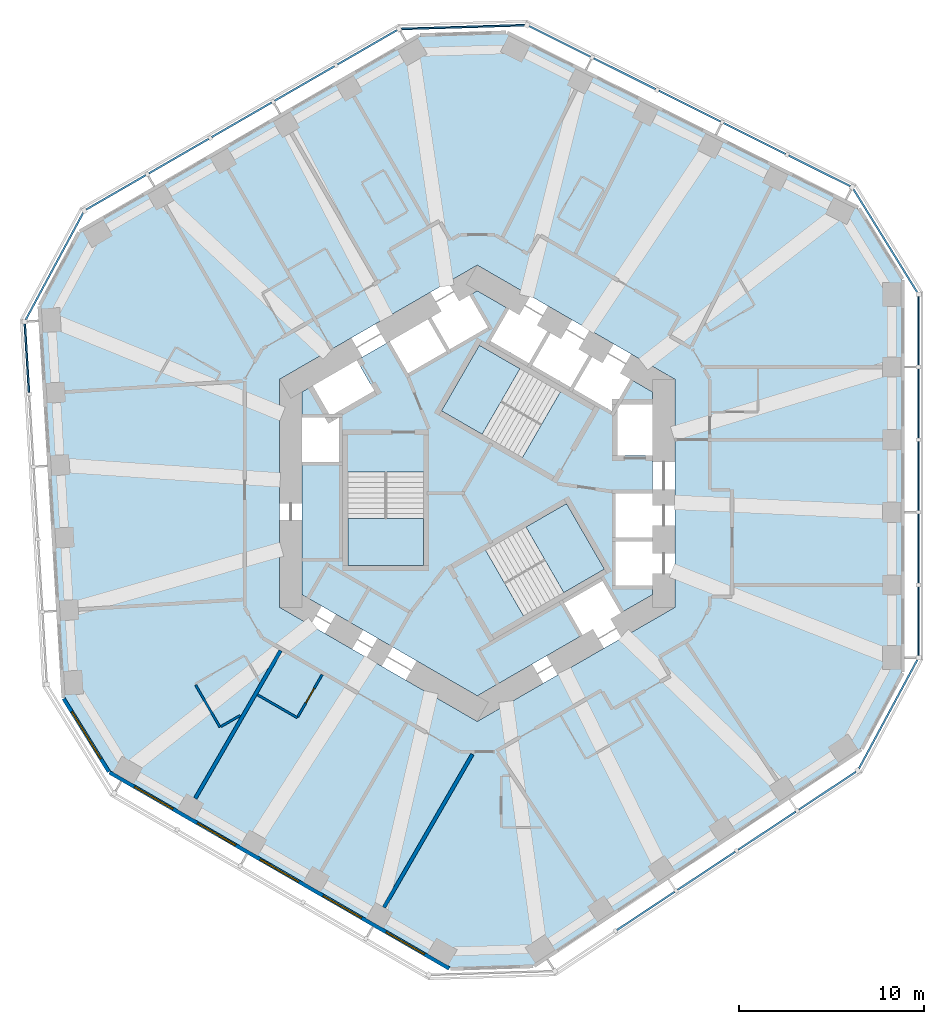
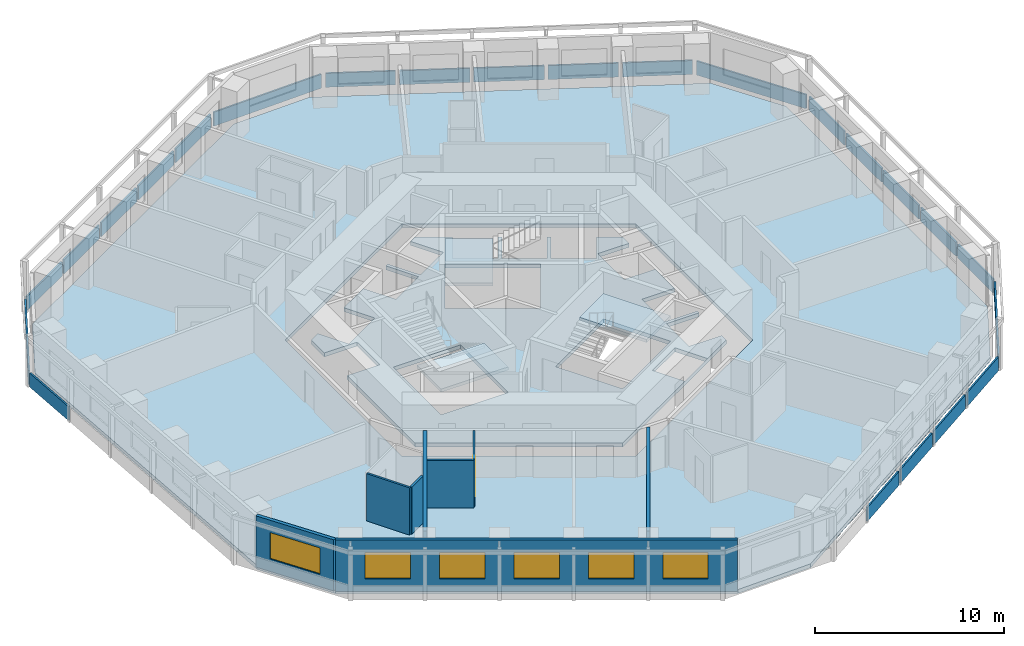
# One storey, part 3 of 12: 24 plates, 8 walls, 6 windows, 5 slabs, 1 door, 7 openings, 12 elements without a shape of their own.
"""IFC4 building model written with IfcOpenShell, lengths in metres."""

from ifc_helpers import new_model, si_unit, direction, frame, frame_2d, origin, origin_2d, place, context, subcontext, project, spatial, polyline, rectangle, outline, extrude, material, layer, layer_set, type_object, element, fill, aggregate, save


model = new_model("IFC4")

# Units and contexts
model_context = context("Model", 3, precision=1e-05, world=origin(), true_north=direction((0.0, 1.0)))
body_context = subcontext(model_context, "Body", "Model", "MODEL_VIEW")
ifc_project = project(units=[si_unit("LENGTHUNIT", "METRE"), si_unit("AREAUNIT", "SQUARE_METRE"), si_unit("VOLUMEUNIT", "CUBIC_METRE"), si_unit("PLANEANGLEUNIT", "RADIAN"), si_unit("MASSUNIT", "GRAM", prefix="KILO")], contexts=[model_context])

# Site, building, storey
site_placement = place(None, origin())
site = spatial("IfcSite", under=ifc_project, at=site_placement, CompositionType="ELEMENT")
building_placement = place(site_placement, origin())
building = spatial("IfcBuilding", under=site, at=building_placement, Name="Vanh Sen Convention Tower", CompositionType="ELEMENT")
storey_placement = place(building_placement, frame((0.0, 0.0, 106.699951171875)))
storey = spatial("IfcBuildingStorey", under=building, at=storey_placement, Name="L25", CompositionType="ELEMENT", Elevation=106.699951171875)

# Slabs
ifc_material_1 = material(Name="Concrete C40/50", Category="concrete")
ifc_layer_1 = layer(ifc_material_1, 0.25)
ifc_layer_set_1 = layer_set([ifc_layer_1], Name="Concrete C40/50")
slab_type_1 = type_object("IfcSlabType", Name="Core slab 250", PredefinedType="FLOOR", material=ifc_layer_set_1)
slab_1_placement = place(storey_placement, frame((0.0, 0.0, -0.25)))
element("IfcSlab", 1, at=slab_1_placement, inside=storey, type_object=slab_type_1, Name="Core slab L25", PredefinedType="FLOOR", context=body_context, shape_type="SweptSolid", body=[
    extrude(outline(polyline([(9.5, 5.48486328125), (9.5, 4.800048828125), (7.60009765625, 4.800048828125), (7.60009765625, 2.050048828125), (9.5, 2.050048828125), (9.5, 0.0), (7.5, 0.0), (7.5, -2.39990234375), (9.5, -2.39990234375), (9.5, -2.60009765625), (7.5, -2.60009765625), (7.5, -5.0), (9.5, -5.0), (9.5, -5.48486328125), (0.0, -10.9697265625), (-9.5, -5.48486328125), (-9.5, 1.699951171875), (-7.5, 1.699951171875), (-7.5, 4.10009765625), (-9.5, 4.10009765625), (-9.5, 5.48486328125), (-8.906982421875, 5.8271484375), (-7.956787109375, 4.181884765625), (-5.575439453125, 5.556884765625), (-6.525390625, 7.2021484375), (-4.75, 8.227294921875), (-3.75, 6.4951171875), (-1.67138671875, 7.6953125), (-2.67138671875, 9.42724609375), (-2.498291015625, 9.527099609375), (-1.498291015625, 7.795166015625), (0.580078125, 8.9951171875), (-0.419921875, 10.727294921875), (0.0, 10.9697265625), (1.718994140625, 9.977294921875), (0.718994140625, 8.2451171875), (2.79736328125, 7.045166015625), (3.79736328125, 8.777099609375), (3.970703125, 8.67724609375), (2.970703125, 6.9453125), (5.049072265625, 5.7451171875), (6.049072265625, 7.477294921875), (6.22216796875, 7.377197265625), (5.22216796875, 5.645263671875), (7.30078125, 4.4453125), (8.30078125, 6.17724609375), (9.5, 5.48486328125)]), holes=[polyline([(-7.0, 3.14990234375), (-7.0, -3.909912109375), (-2.89990234375, -3.909912109375), (-2.89990234375, 3.14990234375), (-2.89990234375, 1.1494140625), (-7.0, 1.1494140625), (-7.0, 3.14990234375)]), polyline([(4.495361328125, 5.487548828125), (6.22802734375, 4.4873046875), (0.11376953125, 8.01708984375), (-1.936279296875, 4.466552734375), (2.4453125, 1.936767578125), (4.495361328125, 5.487548828125)]), polyline([(7.781005859375, -6.477294921875), (6.781005859375, -4.7451171875), (4.70263671875, -5.9453125), (5.70263671875, -7.67724609375), (7.781005859375, -6.477294921875)]), polyline([(0.45458984375, -3.086181640625), (2.504638671875, -6.63671875), (6.88623046875, -4.107177734375), (4.836181640625, -0.556396484375), (-1.278076171875, -4.08642578125), (0.45458984375, -3.086181640625)])]), origin(), (0.0, 0.0, 1.0), 0.25),
])
ifc_layer_2 = layer(ifc_material_1, 0.25)
ifc_layer_set_2 = layer_set([ifc_layer_2], Name="Concrete C40/50")
slab_type_2 = type_object("IfcSlabType", Name="Floor slab 250 REI 120", PredefinedType="FLOOR", material=ifc_layer_set_2)
slab_2_placement = place(storey_placement, frame((0.0, 0.0, -0.25)))
element("IfcSlab", 2, at=slab_2_placement, inside=storey, type_object=slab_type_2, Name="Floor slab L25 tower", PredefinedType="FLOOR", context=body_context, shape_type="SweptSolid", body=[
    extrude(outline(polyline([(23.0, -9.69921875), (23.0, 11.57373046875), (20.620361328125, 15.419189453125), (1.58251953125, 24.911376953125), (-3.10009765625, 24.768310546875), (-21.523193359375, 14.131591796875), (-23.663818359375, 10.14794921875), (-22.364990234375, -11.085205078125), (-19.89990234375, -15.069091796875), (-1.476806640625, -25.705322265625), (3.04345703125, -25.5673828125), (20.78271484375, -13.825927734375), (23.0, -9.69921875)]), holes=[polyline([(0.0, 12.355224609375), (-10.699951171875, 6.177490234375), (-10.699951171875, -6.177490234375), (0.0, -12.355224609375), (10.699951171875, -6.177490234375), (10.699951171875, 6.177490234375), (0.0, 12.355224609375)])]), origin(), (0.0, 0.0, 1.0), 0.25),
])

# Curtain wall, plates
ifc_material_2 = material(Name="Concrete C50/60", Category="concrete")
curtain_wall_type = type_object("IfcCurtainWallType", Name="Outer skin hotel zone", PredefinedType="NOTDEFINED", material=ifc_material_2)
curtain_wall_1_placement = place(storey_placement, origin())
curtain_wall_1 = element("IfcCurtainWall", 3, at=curtain_wall_1_placement, inside=storey, type_object=curtain_wall_type, Name="OUTER SKIN E L25", PredefinedType="NOTDEFINED")
ifc_layer_3 = layer(ifc_material_2, 0.10009765625)
ifc_layer_set_3 = layer_set([ifc_layer_3], Name="Concrete C50/60")
plate_type = type_object("IfcPlateType", Name="Outer skin precast screen panel 100", PredefinedType="CURTAIN_PANEL", material=ifc_layer_set_3)
plate_1_placement = place(storey_placement, frame((23.89990234375, -6.91943359375, 0.0), z_axis=(0.0, 0.0, 1.0), x_axis=(0.0, 1.0, 0.0)))
plate_1 = element("IfcPlate", 4, at=plate_1_placement, type_object=plate_type, Name="OUTER SKIN screen panel E-1", PredefinedType="CURTAIN_PANEL", context=body_context, shape_type="SweptSolid", body=[
    extrude(rectangle(XDim=3.709716796875, YDim=0.10009765625, at=origin_2d()), origin(), (0.0, 0.0, 1.0), 0.89990234375),
])
plate_2_placement = place(storey_placement, frame((23.89990234375, -2.997314453125, 0.0), z_axis=(0.0, 0.0, 1.0), x_axis=(0.0, 1.0, 0.0)))
plate_2 = element("IfcPlate", 5, at=plate_2_placement, type_object=plate_type, Name="OUTER SKIN screen panel E-2", PredefinedType="CURTAIN_PANEL", context=body_context, shape_type="SweptSolid", body=[
    extrude(rectangle(XDim=3.734619140625, YDim=0.10009765625, at=origin_2d()), origin(), (0.0, 0.0, 1.0), 0.89990234375),
])
plate_3_placement = place(storey_placement, frame((23.89990234375, 0.937255859375, 0.0), z_axis=(0.0, 0.0, 1.0), x_axis=(0.0, 1.0, 0.0)))
plate_3 = element("IfcPlate", 6, at=plate_3_placement, type_object=plate_type, Name="OUTER SKIN screen panel E-3", PredefinedType="CURTAIN_PANEL", context=body_context, shape_type="SweptSolid", body=[
    extrude(rectangle(XDim=3.734619140625, YDim=0.10009765625, at=origin_2d()), origin(), (0.0, 0.0, 1.0), 0.89990234375),
])
plate_4_placement = place(storey_placement, frame((23.89990234375, 4.871826171875, 0.0), z_axis=(0.0, 0.0, 1.0), x_axis=(0.0, 1.0, 0.0)))
plate_4 = element("IfcPlate", 7, at=plate_4_placement, type_object=plate_type, Name="OUTER SKIN screen panel E-4", PredefinedType="CURTAIN_PANEL", context=body_context, shape_type="SweptSolid", body=[
    extrude(rectangle(XDim=3.734619140625, YDim=0.10009765625, at=origin_2d()), origin(), (0.0, 0.0, 1.0), 0.89990234375),
])
plate_5_placement = place(storey_placement, frame((23.89990234375, 8.7939453125, 0.0), z_axis=(0.0, 0.0, 1.0), x_axis=(0.0, 1.0, 0.0)))
plate_5 = element("IfcPlate", 8, at=plate_5_placement, type_object=plate_type, Name="OUTER SKIN screen panel E-5", PredefinedType="CURTAIN_PANEL", context=body_context, shape_type="SweptSolid", body=[
    extrude(rectangle(XDim=3.709716796875, YDim=0.10009765625, at=origin_2d()), origin(), (0.0, 0.0, 1.0), 0.89990234375),
])
aggregate(curtain_wall_1, [plate_1, plate_2, plate_3, plate_4, plate_5])

# Curtain wall, plate
curtain_wall_2_placement = place(storey_placement, origin())
curtain_wall_2 = element("IfcCurtainWall", 9, at=curtain_wall_2_placement, inside=storey, type_object=curtain_wall_type, Name="OUTER SKIN CH1 L25", PredefinedType="NOTDEFINED")
plate_6_placement = place(storey_placement, frame((22.102783203125, 13.677734375, 0.0), z_axis=(0.0, 0.0, 1.0), x_axis=(-0.526212439506, 0.850353143411, 0.0)))
plate_6 = element("IfcPlate", 10, at=plate_6_placement, type_object=plate_type, Name="OUTER SKIN screen panel CH1-1", PredefinedType="CURTAIN_PANEL", context=body_context, shape_type="SweptSolid", body=[
    extrude(rectangle(XDim=6.580078125, YDim=0.10009765625, at=origin_2d()), origin(), (0.0, 0.0, 1.0), 0.89990234375),
])
aggregate(curtain_wall_2, [plate_6])

# Curtain wall, plates
curtain_wall_3_placement = place(storey_placement, origin())
curtain_wall_3 = element("IfcCurtainWall", 11, at=curtain_wall_3_placement, inside=storey, type_object=curtain_wall_type, Name="OUTER SKIN NE L25", PredefinedType="NOTDEFINED")
plate_7_placement = place(storey_placement, frame((18.5341796875, 17.465087890625, 0.0), z_axis=(0.0, 0.0, 1.0), x_axis=(-0.894935140363, 0.446196251154, 0.0)))
plate_7 = element("IfcPlate", 12, at=plate_7_placement, type_object=plate_type, Name="OUTER SKIN screen panel NE-1", PredefinedType="CURTAIN_PANEL", context=body_context, shape_type="SweptSolid", body=[
    extrude(rectangle(XDim=3.709716796875, YDim=0.10009765625, at=origin_2d()), origin(), (0.0, 0.0, 1.0), 0.89990234375),
])
plate_8_placement = place(storey_placement, frame((15.024169921875, 19.215087890625, 0.0), z_axis=(0.0, 0.0, 1.0), x_axis=(-0.894935140363, 0.446196251154, 0.0)))
plate_8 = element("IfcPlate", 13, at=plate_8_placement, type_object=plate_type, Name="OUTER SKIN screen panel NE-2", PredefinedType="CURTAIN_PANEL", context=body_context, shape_type="SweptSolid", body=[
    extrude(rectangle(XDim=3.734619140625, YDim=0.10009765625, at=origin_2d()), origin(), (0.0, 0.0, 1.0), 0.89990234375),
])
plate_9_placement = place(storey_placement, frame((11.5029296875, 20.970703125, 0.0), z_axis=(0.0, 0.0, 1.0), x_axis=(-0.894935140363, 0.446196251154, 0.0)))
plate_9 = element("IfcPlate", 14, at=plate_9_placement, type_object=plate_type, Name="OUTER SKIN screen panel NE-3", PredefinedType="CURTAIN_PANEL", context=body_context, shape_type="SweptSolid", body=[
    extrude(rectangle(XDim=3.734619140625, YDim=0.10009765625, at=origin_2d()), origin(), (0.0, 0.0, 1.0), 0.89990234375),
])
plate_10_placement = place(storey_placement, frame((7.981689453125, 22.726318359375, 0.0), z_axis=(0.0, 0.0, 1.0), x_axis=(-0.894935140363, 0.446196251154, 0.0)))
plate_10 = element("IfcPlate", 15, at=plate_10_placement, type_object=plate_type, Name="OUTER SKIN screen panel NE-4", PredefinedType="CURTAIN_PANEL", context=body_context, shape_type="SweptSolid", body=[
    extrude(rectangle(XDim=3.734619140625, YDim=0.10009765625, at=origin_2d()), origin(), (0.0, 0.0, 1.0), 0.89990234375),
])
plate_11_placement = place(storey_placement, frame((4.4716796875, 24.476318359375, 0.0), z_axis=(0.0, 0.0, 1.0), x_axis=(-0.894935140363, 0.446196251154, 0.0)))
plate_11 = element("IfcPlate", 16, at=plate_11_placement, type_object=plate_type, Name="OUTER SKIN screen panel NE-5", PredefinedType="CURTAIN_PANEL", context=body_context, shape_type="SweptSolid", body=[
    extrude(rectangle(XDim=3.709716796875, YDim=0.10009765625, at=origin_2d()), origin(), (0.0, 0.0, 1.0), 0.89990234375),
])
aggregate(curtain_wall_3, [plate_7, plate_8, plate_9, plate_10, plate_11])

# Curtain wall, plate
curtain_wall_4_placement = place(storey_placement, origin())
curtain_wall_4 = element("IfcCurtainWall", 17, at=curtain_wall_4_placement, inside=storey, type_object=curtain_wall_type, Name="OUTER SKIN CH2 L25", PredefinedType="NOTDEFINED")
plate_12_placement = place(storey_placement, frame((-0.771484375, 25.253662109375, 0.0), z_axis=(0.0, 0.0, 1.0), x_axis=(-0.999533644135, -0.030536768695, 0.0)))
plate_12 = element("IfcPlate", 18, at=plate_12_placement, type_object=plate_type, Name="OUTER SKIN screen panel CH2-1", PredefinedType="CURTAIN_PANEL", context=body_context, shape_type="SweptSolid", body=[
    extrude(rectangle(XDim=6.696044921875, YDim=0.10009765625, at=origin_2d()), origin(), (0.0, 0.0, 1.0), 0.89990234375),
])
aggregate(curtain_wall_4, [plate_12])

# Curtain wall, plates
curtain_wall_5_placement = place(storey_placement, origin())
curtain_wall_5 = element("IfcCurtainWall", 19, at=curtain_wall_5_placement, inside=storey, type_object=curtain_wall_type, Name="OUTER SKIN NW L25", PredefinedType="NOTDEFINED")
plate_13_placement = place(storey_placement, frame((-5.95751953125, 24.15771484375, 0.0), z_axis=(0.0, 0.0, 1.0), x_axis=(-0.866028021766, -0.499995465495, 0.0)))
plate_13 = element("IfcPlate", 20, at=plate_13_placement, type_object=plate_type, Name="OUTER SKIN screen panel NW-1", PredefinedType="CURTAIN_PANEL", context=body_context, shape_type="SweptSolid", body=[
    extrude(rectangle(XDim=3.709716796875, YDim=0.10009765625, at=origin_2d()), origin(), (0.0, 0.0, 1.0), 0.89990234375),
])
plate_14_placement = place(storey_placement, frame((-9.354248046875, 22.19677734375, 0.0), z_axis=(0.0, 0.0, 1.0), x_axis=(-0.866021040428, -0.500007557478, 0.0)))
plate_14 = element("IfcPlate", 21, at=plate_14_placement, type_object=plate_type, Name="OUTER SKIN screen panel NW-2", PredefinedType="CURTAIN_PANEL", context=body_context, shape_type="SweptSolid", body=[
    extrude(rectangle(XDim=3.734619140625, YDim=0.10009765625, at=origin_2d()), origin(), (0.0, 0.0, 1.0), 0.89990234375),
])
plate_15_placement = place(storey_placement, frame((-12.76171875, 20.2294921875, 0.0), z_axis=(0.0, 0.0, 1.0), x_axis=(-0.866028021766, -0.499995465495, 0.0)))
plate_15 = element("IfcPlate", 22, at=plate_15_placement, type_object=plate_type, Name="OUTER SKIN screen panel NW-3", PredefinedType="CURTAIN_PANEL", context=body_context, shape_type="SweptSolid", body=[
    extrude(rectangle(XDim=3.734619140625, YDim=0.10009765625, at=origin_2d()), origin(), (0.0, 0.0, 1.0), 0.89990234375),
])
plate_16_placement = place(storey_placement, frame((-16.169189453125, 18.26220703125, 0.0), z_axis=(0.0, 0.0, 1.0), x_axis=(-0.866028021766, -0.499995465495, 0.0)))
plate_16 = element("IfcPlate", 23, at=plate_16_placement, type_object=plate_type, Name="OUTER SKIN screen panel NW-4", PredefinedType="CURTAIN_PANEL", context=body_context, shape_type="SweptSolid", body=[
    extrude(rectangle(XDim=3.734619140625, YDim=0.10009765625, at=origin_2d()), origin(), (0.0, 0.0, 1.0), 0.89990234375),
])
plate_17_placement = place(storey_placement, frame((-19.56591796875, 16.301025390625, 0.0), z_axis=(0.0, 0.0, 1.0), x_axis=(-0.866021040428, -0.500007557478, 0.0)))
plate_17 = element("IfcPlate", 24, at=plate_17_placement, type_object=plate_type, Name="OUTER SKIN screen panel NW-5", PredefinedType="CURTAIN_PANEL", context=body_context, shape_type="SweptSolid", body=[
    extrude(rectangle(XDim=3.70947265625, YDim=0.10009765625, at=origin_2d()), origin(), (0.0, 0.0, 1.0), 0.89990234375),
])
aggregate(curtain_wall_5, [plate_13, plate_14, plate_15, plate_16, plate_17])

# Curtain wall, plate
curtain_wall_6_placement = place(storey_placement, origin())
curtain_wall_6 = element("IfcCurtainWall", 25, at=curtain_wall_6_placement, inside=storey, type_object=curtain_wall_type, Name="OUTER SKIN CH3 L25", PredefinedType="NOTDEFINED")
plate_18_placement = place(storey_placement, frame((-22.896728515625, 12.302978515625, 0.0), z_axis=(0.0, 0.0, 1.0), x_axis=(-0.47331812974, -0.880891564303, 0.0)))
plate_18 = element("IfcPlate", 26, at=plate_18_placement, type_object=plate_type, Name="OUTER SKIN screen panel CH3-1", PredefinedType="CURTAIN_PANEL", context=body_context, shape_type="SweptSolid", body=[
    extrude(rectangle(XDim=6.580078125, YDim=0.10009765625, at=origin_2d()), origin(), (0.0, 0.0, 1.0), 0.89990234375),
])
aggregate(curtain_wall_6, [plate_18])

curtain_wall_7_placement = place(storey_placement, origin())
curtain_wall_7 = element("IfcCurtainWall", 27, at=curtain_wall_7_placement, inside=storey, type_object=curtain_wall_type, Name="OUTER SKIN W L25", PredefinedType="NOTDEFINED")
plate_19_placement = place(storey_placement, frame((-24.39208984375, 7.318603515625, 0.0), z_axis=(0.0, 0.0, 1.0), x_axis=(0.061046797461, -0.99813490497, 0.0)))
plate_19 = element("IfcPlate", 28, at=plate_19_placement, type_object=plate_type, Name="OUTER SKIN screen panel W-1", PredefinedType="CURTAIN_PANEL", context=body_context, shape_type="SweptSolid", body=[
    extrude(rectangle(XDim=3.709716796875, YDim=0.10009765625, at=origin_2d()), origin(), (0.0, 0.0, 1.0), 0.89990234375),
])
aggregate(curtain_wall_7, [plate_19])

# Curtain wall, plates
curtain_wall_8_placement = place(storey_placement, origin())
curtain_wall_8 = element("IfcCurtainWall", 29, at=curtain_wall_8_placement, inside=storey, type_object=curtain_wall_type, Name="OUTER SKIN SE L25", PredefinedType="NOTDEFINED")
plate_20_placement = place(storey_placement, frame((9.128662109375, -22.618896484375, 0.0), z_axis=(0.0, 0.0, 1.0), x_axis=(0.833891601892, 0.55192825285, 0.0)))
plate_20 = element("IfcPlate", 30, at=plate_20_placement, type_object=plate_type, Name="OUTER SKIN screen panel SE-2", PredefinedType="CURTAIN_PANEL", context=body_context, shape_type="SweptSolid", body=[
    extrude(rectangle(XDim=3.734619140625, YDim=0.10009765625, at=origin_2d()), origin(), (0.0, 0.0, 1.0), 0.89990234375),
])
plate_21_placement = place(storey_placement, frame((12.40966796875, -20.447265625, 0.0), z_axis=(0.0, 0.0, 1.0), x_axis=(0.833880042151, 0.551945717714, 0.0)))
plate_21 = element("IfcPlate", 31, at=plate_21_placement, type_object=plate_type, Name="OUTER SKIN screen panel SE-3", PredefinedType="CURTAIN_PANEL", context=body_context, shape_type="SweptSolid", body=[
    extrude(rectangle(XDim=3.734619140625, YDim=0.10009765625, at=origin_2d()), origin(), (0.0, 0.0, 1.0), 0.89990234375),
])
plate_22_placement = place(storey_placement, frame((15.690673828125, -18.275390625, 0.0), z_axis=(0.0, 0.0, 1.0), x_axis=(0.833891601892, 0.55192825285, 0.0)))
plate_22 = element("IfcPlate", 32, at=plate_22_placement, type_object=plate_type, Name="OUTER SKIN screen panel SE-4", PredefinedType="CURTAIN_PANEL", context=body_context, shape_type="SweptSolid", body=[
    extrude(rectangle(XDim=3.734619140625, YDim=0.10009765625, at=origin_2d()), origin(), (0.0, 0.0, 1.0), 0.89990234375),
])
plate_23_placement = place(storey_placement, frame((18.961181640625, -16.11083984375, 0.0), z_axis=(0.0, 0.0, 1.0), x_axis=(0.833880042151, 0.551945717714, 0.0)))
plate_23 = element("IfcPlate", 33, at=plate_23_placement, type_object=plate_type, Name="OUTER SKIN screen panel SE-5", PredefinedType="CURTAIN_PANEL", context=body_context, shape_type="SweptSolid", body=[
    extrude(rectangle(XDim=3.709716796875, YDim=0.10009765625, at=origin_2d()), origin(), (0.0, 0.0, 1.0), 0.89990234375),
])
aggregate(curtain_wall_8, [plate_20, plate_21, plate_22, plate_23])

# Curtain wall, plate
curtain_wall_9_placement = place(storey_placement, origin())
curtain_wall_9 = element("IfcCurtainWall", 34, at=curtain_wall_9_placement, inside=storey, type_object=curtain_wall_type, Name="OUTER SKIN CH6 L25", PredefinedType="NOTDEFINED")
plate_24_placement = place(storey_placement, frame((22.256103515625, -11.95849609375, 0.0), z_axis=(0.0, 0.0, 1.0), x_axis=(0.473322742071, 0.880889086003, 0.0)))
plate_24 = element("IfcPlate", 35, at=plate_24_placement, type_object=plate_type, Name="OUTER SKIN screen panel CH6-1", PredefinedType="CURTAIN_PANEL", context=body_context, shape_type="SweptSolid", body=[
    extrude(rectangle(XDim=6.6962890625, YDim=0.10009765625, at=origin_2d()), origin(), (0.0, 0.0, 1.0), 0.89990234375),
])
aggregate(curtain_wall_9, [plate_24])

# Stair, slab
ifc_material_3 = material(Name="Concrete C50/60", Category="concrete")
stair_type_1 = type_object("IfcStairType", Name="Exit stair ST1 20 risers at 165.0", PredefinedType="HALF_TURN_STAIR", material=ifc_material_3)
stair_1_placement = place(storey_placement, origin())
stair_1 = element("IfcStair", 36, at=stair_1_placement, inside=storey, type_object=stair_type_1, Name="Exit stair ST1 L25", PredefinedType="HALF_TURN_STAIR")
ifc_layer_4 = layer(ifc_material_1, 0.199951171875)
ifc_layer_set_4 = layer_set([ifc_layer_4], Name="Concrete C40/50")
slab_type_3 = type_object("IfcSlabType", Name="Stair landing 200", PredefinedType="LANDING", material=ifc_layer_set_4)
slab_3_placement = place(storey_placement, frame((0.0, 0.0, 1.449951171875)))
slab_3 = element("IfcSlab", 37, at=slab_3_placement, type_object=slab_type_3, Name="ST1 landing 1", PredefinedType="LANDING", context=body_context, shape_type="SweptSolid", body=[
    extrude(outline(polyline([(2.314208984375, 6.746826171875), (0.11376953125, 8.01708984375), (-1.936279296875, 4.466552734375), (0.26416015625, 3.196044921875), (2.314208984375, 6.746826171875)])), origin(), (0.0, 0.0, 1.0), 0.2001953125),
])
aggregate(stair_1, [slab_3])

stair_type_2 = type_object("IfcStairType", Name="Exit stair ST2 20 risers at 165.0", PredefinedType="HALF_TURN_STAIR", material=ifc_material_3)
stair_2_placement = place(storey_placement, origin())
stair_2 = element("IfcStair", 38, at=stair_2_placement, inside=storey, type_object=stair_type_2, Name="Exit stair ST2 L25", PredefinedType="HALF_TURN_STAIR")
slab_4_placement = place(storey_placement, frame((0.0, 0.0, 1.449951171875)))
slab_4 = element("IfcSlab", 39, at=slab_4_placement, type_object=slab_type_3, Name="ST2 landing 1", PredefinedType="LANDING", context=body_context, shape_type="SweptSolid", body=[
    extrude(outline(polyline([(-7.0, -1.369384765625), (-7.0, -3.909912109375), (-2.89990234375, -3.909912109375), (-2.89990234375, -1.369384765625), (-7.0, -1.369384765625)])), origin(), (0.0, 0.0, 1.0), 0.2001953125),
])
aggregate(stair_2, [slab_4])

stair_type_3 = type_object("IfcStairType", Name="Exit stair ST3 20 risers at 165.0", PredefinedType="HALF_TURN_STAIR", material=ifc_material_3)
stair_3_placement = place(storey_placement, origin())
stair_3 = element("IfcStair", 40, at=stair_3_placement, inside=storey, type_object=stair_type_3, Name="Exit stair ST3 L25", PredefinedType="HALF_TURN_STAIR")
slab_5_placement = place(storey_placement, frame((0.0, 0.0, 1.449951171875)))
slab_5 = element("IfcSlab", 41, at=slab_5_placement, type_object=slab_type_3, Name="ST3 landing 1", PredefinedType="LANDING", context=body_context, shape_type="SweptSolid", body=[
    extrude(outline(polyline([(4.685791015625, -5.37744140625), (6.88623046875, -4.107177734375), (4.836181640625, -0.556396484375), (2.6357421875, -1.826904296875), (4.685791015625, -5.37744140625)])), origin(), (0.0, 0.0, 1.0), 0.2001953125),
])
aggregate(stair_3, [slab_5])

# Walls
ifc_material_4 = material(Name="Moisture-resistant gypsum board on steel studs", Category="steel")
ifc_layer_5 = layer(ifc_material_4, 0.1201171875)
ifc_layer_set_5 = layer_set([ifc_layer_5], Name="Moisture-resistant gypsum board on steel studs")
wall_type_1 = type_object("IfcWallType", Name="Bathroom partition 120", PredefinedType="PARTITIONING", material=ifc_layer_set_5)
wall_1_placement = place(storey_placement, frame((-13.935546875, -12.66455078125, 0.0), z_axis=(0.0, 0.0, 1.0), x_axis=(-0.500007957085, 0.86602080971, 0.0)))
element("IfcWall", 42, at=wall_1_placement, inside=storey, type_object=wall_type_1, Name="Bathroom partition 120", PredefinedType="PARTITIONING", context=body_context, shape_type="SweptSolid", body=[
    extrude(rectangle(XDim=2.64013671875, YDim=0.1201171875, at=frame_2d((1.320068359375, 0.0))), origin(), (0.0, 0.0, 1.0), 3.050048828125),
])
wall_2_placement = place(storey_placement, frame((-12.841552734375, -12.03271484375, 0.0), z_axis=(0.0, 0.0, 1.0), x_axis=(-0.865949042838, -0.500132237721, 0.0)))
element("IfcWall", 43, at=wall_2_placement, inside=storey, type_object=wall_type_1, Name="Bathroom partition 120", PredefinedType="PARTITIONING", context=body_context, shape_type="SweptSolid", body=[
    extrude(rectangle(XDim=1.203369140625, YDim=0.1201171875, at=frame_2d((0.6015625, 0.0))), origin(), (0.0, 0.0, 1.0), 3.050048828125),
])
wall_3_placement = place(storey_placement, frame((-9.747802734375, -12.154541015625, 0.0), z_axis=(0.0, 0.0, 1.0), x_axis=(-0.866022959057, 0.500004234368, 0.0)))
element("IfcWall", 44, at=wall_3_placement, inside=storey, type_object=wall_type_1, Name="Bathroom partition 120", PredefinedType="PARTITIONING", context=body_context, shape_type="SweptSolid", body=[
    extrude(rectangle(XDim=2.5, YDim=0.1201171875, at=frame_2d((1.25, 0.0))), origin(), (0.0, 0.0, 1.0), 3.050048828125),
])

# Wall, opening, door
wall_4_placement = place(storey_placement, frame((-8.397705078125, -9.816162109375, 0.0), z_axis=(0.0, 0.0, 1.0), x_axis=(-0.500007957085, -0.86602080971, 0.0)))
wall_4 = element("IfcWall", 45, at=wall_4_placement, inside=storey, type_object=wall_type_1, Name="Bathroom partition 120", PredefinedType="PARTITIONING", context=body_context, shape_type="SweptSolid", body=[
    extrude(rectangle(XDim=2.64013671875, YDim=0.1201171875, at=frame_2d((1.320068359375, 0.0))), origin(), (0.0, 0.0, 1.0), 3.050048828125),
])
opening_1_placement = place(wall_4_placement, frame((0.8701171875, 0.0, 0.0)))
opening_1 = element("IfcOpeningElement", 46, at=opening_1_placement, cuts=wall_4, Name="Opening D25122", PredefinedType="OPENING", context=body_context, shape_type="SweptSolid", body=[
    extrude(rectangle(XDim=0.89990234375, YDim=2.10009765625, at=frame_2d((0.449951171875, 1.050048828125))), frame((0.0, 0.070068359375, 0.0), z_axis=(0.0, -1.0, 0.0), x_axis=(1.0, 0.0, 0.0)), (0.0, 0.0, 1.0), 0.14013671875),
])
ifc_material_5 = material(Name="Laminate door in steel frame", Category="steel")
door_type = type_object("IfcDoorType", Name="En-suite door 900", OperationType="SINGLE_SWING_LEFT", PredefinedType="DOOR", material=ifc_material_5)
door_placement = place(opening_1_placement, origin())
door = element("IfcDoor", 47, at=door_placement, inside=storey, type_object=door_type, Name="En-suite door D25122", OperationType="SINGLE_SWING_LEFT", OverallHeight=2.10009765625, OverallWidth=0.89990234375, PredefinedType="DOOR", context=body_context, shape_type="SweptSolid", body=[
    extrude(rectangle(XDim=0.89990234375, YDim=2.10009765625, at=frame_2d((0.449951171875, 1.050048828125))), frame((0.0, 0.02490234375, 0.0), z_axis=(0.0, -1.0, 0.0), x_axis=(1.0, 0.0, 0.0)), (0.0, 0.0, 1.0), 0.050048828125),
])
fill(opening_1, door)

# Wall, opening, window
ifc_material_6 = material(Name="Insulated lightweight infill wall")
ifc_layer_6 = layer(ifc_material_6, 0.199951171875)
ifc_layer_set_6 = layer_set([ifc_layer_6], Name="Insulated lightweight infill wall")
wall_type_2 = type_object("IfcWallType", Name="External wall 200", PredefinedType="STANDARD", material=ifc_layer_set_6)
wall_5_placement = place(storey_placement, frame((-22.40087890625, -11.122314453125, 0.0), z_axis=(0.0, 0.0, 1.0), x_axis=(0.526197679914, -0.850362276711, 0.0)))
wall_5 = element("IfcWall", 48, at=wall_5_placement, inside=storey, type_object=wall_type_2, Name="External wall CH4 L25", PredefinedType="STANDARD", context=body_context, shape_type="SweptSolid", body=[
    extrude(rectangle(XDim=4.65966796875, YDim=0.199951171875, at=frame_2d((2.329833984375, 0.0))), origin(), (0.0, 0.0, 1.0), 3.300048828125),
])
opening_2_placement = place(wall_5_placement, frame((0.829833984375, 0.0, 0.800048828125)))
opening_2 = element("IfcOpeningElement", 49, at=opening_2_placement, cuts=wall_5, Name="Opening WH2-CH41", PredefinedType="OPENING", context=body_context, shape_type="SweptSolid", body=[
    extrude(rectangle(XDim=3.0, YDim=1.699951171875, at=frame_2d((1.5, 0.85009765625))), frame((0.0, 0.10986328125, 0.0), z_axis=(0.0, -1.0, 0.0), x_axis=(1.0, 0.0, 0.0)), (0.0, 0.0, 1.0), 0.219970703125),
])
ifc_material_7 = material(Name="Aluminium frame with clear low-emissivity glass", Category="aluminium")
window_type_1 = type_object("IfcWindowType", Name="Hotel window 3000 x 1700", PartitioningType="SINGLE_PANEL", PredefinedType="WINDOW", material=ifc_material_7)
window_1_placement = place(opening_2_placement, origin())
window_1 = element("IfcWindow", 50, at=window_1_placement, inside=storey, type_object=window_type_1, Name="Window WH2-CH41", OverallHeight=1.699951171875, OverallWidth=3.0, PartitioningType="SINGLE_PANEL", PredefinedType="WINDOW", context=body_context, shape_type="SweptSolid", body=[
    extrude(rectangle(XDim=3.0, YDim=1.699951171875, at=frame_2d((1.5, 0.85009765625))), frame((0.0, 0.030029296875, 0.0), z_axis=(0.0, -1.0, 0.0), x_axis=(1.0, 0.0, 0.0)), (0.0, 0.0, 1.0), 0.06005859375),
])
fill(opening_2, window_1)

# Wall, openings, windows
wall_6_placement = place(storey_placement, frame((-19.913818359375, -15.11865234375, 0.0), z_axis=(0.0, 0.0, 1.0), x_axis=(0.866025418898, -0.499999973822, 0.0)))
wall_6 = element("IfcWall", 51, at=wall_6_placement, inside=storey, type_object=wall_type_2, Name="External wall SW L25", PredefinedType="STANDARD", context=body_context, shape_type="SweptSolid", body=[
    extrude(rectangle(XDim=21.24609375, YDim=0.199951171875, at=frame_2d((10.623046875, 0.0))), origin(), (0.0, 0.0, 1.0), 3.300048828125),
])
opening_3_placement = place(wall_6_placement, frame((1.5546875, 0.0, 0.800048828125)))
opening_3 = element("IfcOpeningElement", 52, at=opening_3_placement, cuts=wall_6, Name="Opening WH1-SW1", PredefinedType="OPENING", context=body_context, shape_type="SweptSolid", body=[
    extrude(rectangle(XDim=2.39990234375, YDim=1.699951171875, at=frame_2d((1.199951171875, 0.85009765625))), frame((0.0, 0.10986328125, 0.0), z_axis=(0.0, -1.0, 0.0), x_axis=(1.0, 0.0, 0.0)), (0.0, 0.0, 1.0), 0.219970703125),
])
opening_4_placement = place(wall_6_placement, frame((5.4892578125, 0.0, 0.800048828125)))
opening_4 = element("IfcOpeningElement", 53, at=opening_4_placement, cuts=wall_6, Name="Opening WH1-SW2", PredefinedType="OPENING", context=body_context, shape_type="SweptSolid", body=[
    extrude(rectangle(XDim=2.39990234375, YDim=1.699951171875, at=frame_2d((1.199951171875, 0.85009765625))), frame((0.0, 0.10986328125, 0.0), z_axis=(0.0, -1.0, 0.0), x_axis=(1.0, 0.0, 0.0)), (0.0, 0.0, 1.0), 0.219970703125),
])
opening_5_placement = place(wall_6_placement, frame((9.423828125, 0.0, 0.800048828125)))
opening_5 = element("IfcOpeningElement", 54, at=opening_5_placement, cuts=wall_6, Name="Opening WH1-SW3", PredefinedType="OPENING", context=body_context, shape_type="SweptSolid", body=[
    extrude(rectangle(XDim=2.39990234375, YDim=1.699951171875, at=frame_2d((1.199951171875, 0.85009765625))), frame((0.0, 0.10986328125, 0.0), z_axis=(0.0, -1.0, 0.0), x_axis=(1.0, 0.0, 0.0)), (0.0, 0.0, 1.0), 0.219970703125),
])
opening_6_placement = place(wall_6_placement, frame((13.3583984375, 0.0, 0.800048828125)))
opening_6 = element("IfcOpeningElement", 55, at=opening_6_placement, cuts=wall_6, Name="Opening WH1-SW4", PredefinedType="OPENING", context=body_context, shape_type="SweptSolid", body=[
    extrude(rectangle(XDim=2.39990234375, YDim=1.699951171875, at=frame_2d((1.199951171875, 0.85009765625))), frame((0.0, 0.10986328125, 0.0), z_axis=(0.0, -1.0, 0.0), x_axis=(1.0, 0.0, 0.0)), (0.0, 0.0, 1.0), 0.219970703125),
])
opening_7_placement = place(wall_6_placement, frame((17.293212890625, 0.0, 0.800048828125)))
opening_7 = element("IfcOpeningElement", 56, at=opening_7_placement, cuts=wall_6, Name="Opening WH1-SW5", PredefinedType="OPENING", context=body_context, shape_type="SweptSolid", body=[
    extrude(rectangle(XDim=2.39990234375, YDim=1.699951171875, at=frame_2d((1.199951171875, 0.85009765625))), frame((0.0, 0.10986328125, 0.0), z_axis=(0.0, -1.0, 0.0), x_axis=(1.0, 0.0, 0.0)), (0.0, 0.0, 1.0), 0.219970703125),
])
window_type_2 = type_object("IfcWindowType", Name="Hotel window 2400 x 1700", PartitioningType="SINGLE_PANEL", PredefinedType="WINDOW", material=ifc_material_7)
window_2_placement = place(opening_3_placement, origin())
window_2 = element("IfcWindow", 57, at=window_2_placement, inside=storey, type_object=window_type_2, Name="Window WH1-SW1", OverallHeight=1.699951171875, OverallWidth=2.39990234375, PartitioningType="SINGLE_PANEL", PredefinedType="WINDOW", context=body_context, shape_type="SweptSolid", body=[
    extrude(rectangle(XDim=2.39990234375, YDim=1.699951171875, at=frame_2d((1.199951171875, 0.85009765625))), frame((0.0, 0.030029296875, 0.0), z_axis=(0.0, -1.0, 0.0), x_axis=(1.0, 0.0, 0.0)), (0.0, 0.0, 1.0), 0.06005859375),
])
fill(opening_3, window_2)
window_3_placement = place(opening_4_placement, origin())
window_3 = element("IfcWindow", 58, at=window_3_placement, inside=storey, type_object=window_type_2, Name="Window WH1-SW2", OverallHeight=1.699951171875, OverallWidth=2.39990234375, PartitioningType="SINGLE_PANEL", PredefinedType="WINDOW", context=body_context, shape_type="SweptSolid", body=[
    extrude(rectangle(XDim=2.39990234375, YDim=1.699951171875, at=frame_2d((1.199951171875, 0.85009765625))), frame((0.0, 0.030029296875, 0.0), z_axis=(0.0, -1.0, 0.0), x_axis=(1.0, 0.0, 0.0)), (0.0, 0.0, 1.0), 0.06005859375),
])
fill(opening_4, window_3)
window_4_placement = place(opening_5_placement, origin())
window_4 = element("IfcWindow", 59, at=window_4_placement, inside=storey, type_object=window_type_2, Name="Window WH1-SW3", OverallHeight=1.699951171875, OverallWidth=2.39990234375, PartitioningType="SINGLE_PANEL", PredefinedType="WINDOW", context=body_context, shape_type="SweptSolid", body=[
    extrude(rectangle(XDim=2.39990234375, YDim=1.699951171875, at=frame_2d((1.199951171875, 0.85009765625))), frame((0.0, 0.030029296875, 0.0), z_axis=(0.0, -1.0, 0.0), x_axis=(1.0, 0.0, 0.0)), (0.0, 0.0, 1.0), 0.06005859375),
])
fill(opening_5, window_4)
window_5_placement = place(opening_6_placement, origin())
window_5 = element("IfcWindow", 60, at=window_5_placement, inside=storey, type_object=window_type_2, Name="Window WH1-SW4", OverallHeight=1.699951171875, OverallWidth=2.39990234375, PartitioningType="SINGLE_PANEL", PredefinedType="WINDOW", context=body_context, shape_type="SweptSolid", body=[
    extrude(rectangle(XDim=2.39990234375, YDim=1.699951171875, at=frame_2d((1.199951171875, 0.85009765625))), frame((0.0, 0.030029296875, 0.0), z_axis=(0.0, -1.0, 0.0), x_axis=(1.0, 0.0, 0.0)), (0.0, 0.0, 1.0), 0.06005859375),
])
fill(opening_6, window_5)
window_6_placement = place(opening_7_placement, origin())
window_6 = element("IfcWindow", 61, at=window_6_placement, inside=storey, type_object=window_type_2, Name="Window WH1-SW5", OverallHeight=1.699951171875, OverallWidth=2.39990234375, PartitioningType="SINGLE_PANEL", PredefinedType="WINDOW", context=body_context, shape_type="SweptSolid", body=[
    extrude(rectangle(XDim=2.39990234375, YDim=1.699951171875, at=frame_2d((1.199951171875, 0.85009765625))), frame((0.0, 0.030029296875, 0.0), z_axis=(0.0, -1.0, 0.0), x_axis=(1.0, 0.0, 0.0)), (0.0, 0.0, 1.0), 0.06005859375),
])
fill(opening_7, window_6)

# Walls
ifc_material_8 = material(Name="Gypsum board on steel studs with mineral wool", Category="steel")
ifc_layer_7 = layer(ifc_material_8, 0.199951171875)
ifc_layer_set_7 = layer_set([ifc_layer_7], Name="Gypsum board on steel studs with mineral wool")
wall_type_3 = type_object("IfcWallType", Name="Hotel party wall 200", PredefinedType="PARTITIONING", material=ifc_layer_set_7)
wall_7_placement = place(storey_placement, frame((-15.2744140625, -16.527099609375, 0.0), z_axis=(0.0, 0.0, 1.0), x_axis=(0.49998823431, 0.866032196602, 0.0)))
element("IfcWall", 62, at=wall_7_placement, inside=storey, type_object=wall_type_3, Name="Hotel party wall 200", PredefinedType="PARTITIONING", context=body_context, shape_type="SweptSolid", body=[
    extrude(rectangle(XDim=9.250244140625, YDim=0.199951171875, at=frame_2d((4.625, 0.0))), origin(), (0.0, 0.0, 1.0), 3.050048828125),
])
wall_8_placement = place(storey_placement, frame((-5.052001953125, -22.4287109375, 0.0), z_axis=(0.0, 0.0, 1.0), x_axis=(0.500004329283, 0.866022904257, 0.0)))
element("IfcWall", 63, at=wall_8_placement, inside=storey, type_object=wall_type_3, Name="Hotel party wall 200", PredefinedType="PARTITIONING", context=body_context, shape_type="SweptSolid", body=[
    extrude(rectangle(XDim=9.57177734375, YDim=0.199951171875, at=frame_2d((4.785888671875, 0.0))), origin(), (0.0, 0.0, 1.0), 3.050048828125),
])

save(model, "model.ifc")
